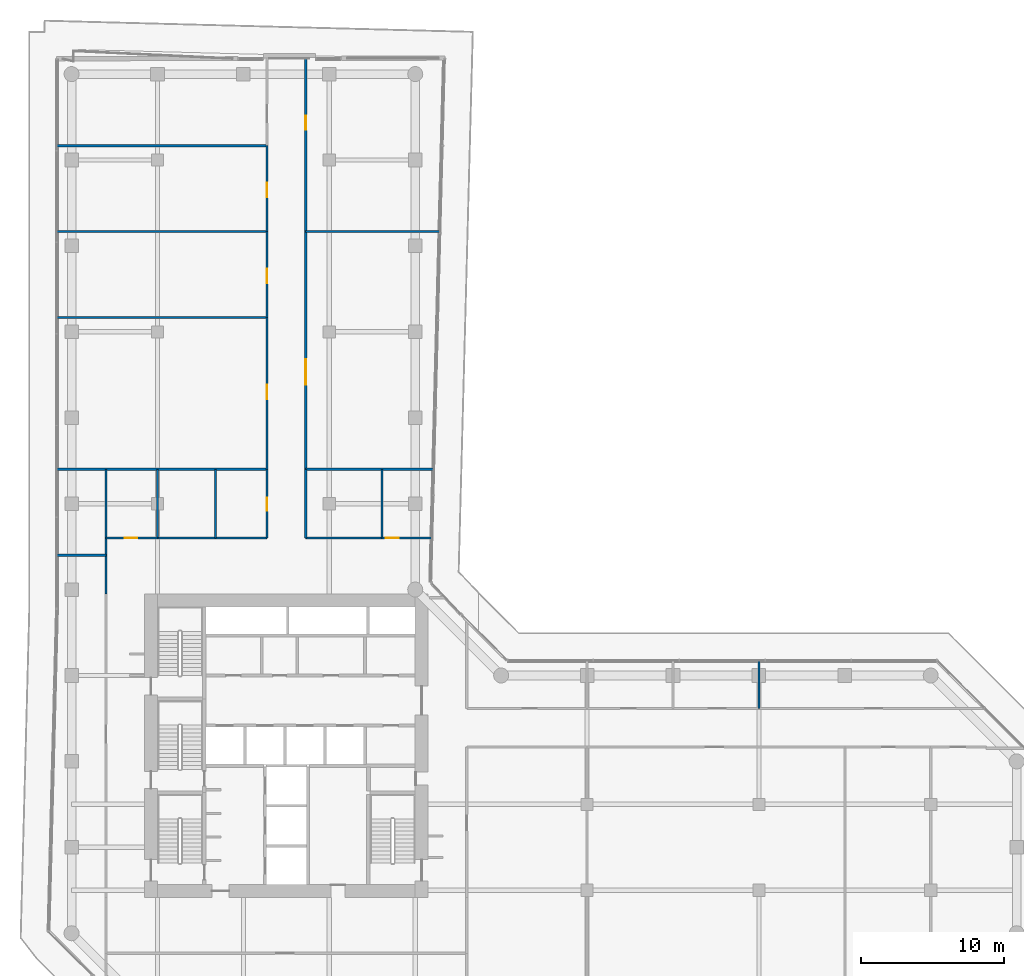
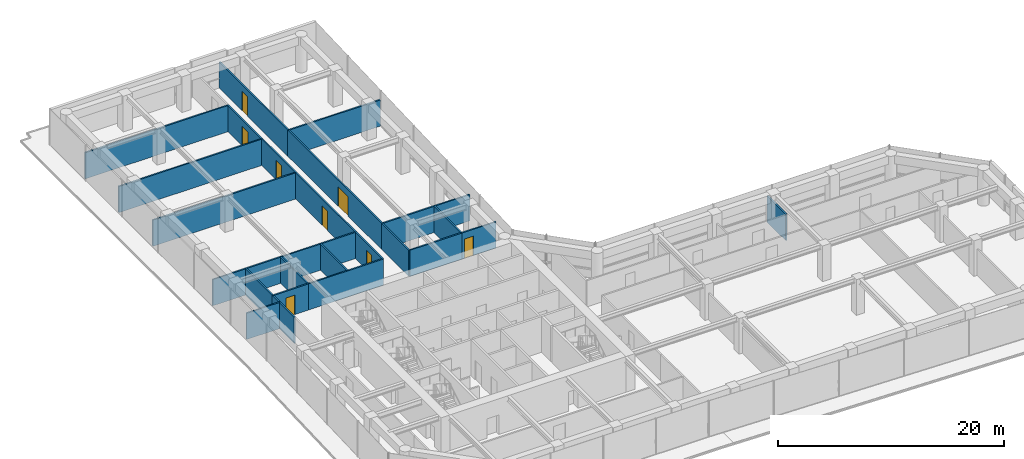
# One storey, part 25 of 28: 24 walls, 8 doors, 8 openings.
"""IFC4 building model written with IfcOpenShell, lengths in metres."""

from ifc_helpers import new_model, si_unit, direction, frame, frame_2d, origin, place, context, subcontext, project, spatial, rectangle, extrude, material, layer, layer_set, type_object, element, fill, save


model = new_model("IFC4")

# Units and contexts
model_context = context("Model", 3, precision=1e-05, world=origin(), true_north=direction((0.0, 1.0)))
body_context = subcontext(model_context, "Body", "Model", "MODEL_VIEW")
ifc_project = project(units=[si_unit("LENGTHUNIT", "METRE"), si_unit("AREAUNIT", "SQUARE_METRE"), si_unit("VOLUMEUNIT", "CUBIC_METRE"), si_unit("PLANEANGLEUNIT", "RADIAN"), si_unit("MASSUNIT", "GRAM", prefix="KILO")], contexts=[model_context])

# Site, building, storey
site_placement = place(None, origin())
site = spatial("IfcSite", under=ifc_project, at=site_placement, CompositionType="ELEMENT")
building_placement = place(site_placement, origin())
building = spatial("IfcBuilding", under=site, at=building_placement, Name="Welwitschia Terrace Campus", CompositionType="ELEMENT")
storey_placement = place(building_placement, frame((0.0, 0.0, 45.800048828125)))
storey = spatial("IfcBuildingStorey", under=building, at=storey_placement, Name="L10", CompositionType="ELEMENT", Elevation=45.800048828125)

# Walls
ifc_material_1 = material(Name="Gypsum board on steel studs", Category="steel")
ifc_layer = layer(ifc_material_1, 0.14990234375)
ifc_layer_set = layer_set([ifc_layer], Name="Gypsum board on steel studs")
wall_type = type_object("IfcWallType", Name="Corridor partition 150 EI 30", PredefinedType="PARTITIONING", material=ifc_layer_set)
wall_1_placement = place(storey_placement, frame((-1.010009765625, 28.39990234375, 0.0), z_axis=(0.0, 0.0, 1.0), x_axis=(1.0, 0.0, 0.0)))
element("IfcWall", 1, at=wall_1_placement, inside=storey, type_object=wall_type, Name="Partition", PredefinedType="PARTITIONING", context=body_context, shape_type="SweptSolid", body=[
    extrude(rectangle(XDim=3.409912109375, YDim=0.14990234375, at=frame_2d((1.705078125, 0.0))), origin(), (0.0, 0.0, 1.0), 2.829833984375),
])
for number, where, z_axis, x_axis, name in (
    (2, (-1.010009765625, 34.39990234375, 0.0), (0.0, 0.0, 1.0), (1.0, 0.0, 0.0), "Partition"),
    (3, (-1.010009765625, 45.0, 0.0), (0.0, 0.0, 1.0), (1.0, 0.0, 0.0), "Partition"),
    (4, (-1.010009765625, 51.0, 0.0), (0.0, 0.0, 1.0), (1.0, 0.0, 0.0), "Partition"),
    (5, (-1.010009765625, 57.0, 0.0), (0.0, 0.0, 1.0), (1.0, 0.0, 0.0), "Partition"),
):
    element("IfcWall", number, at=place(storey_placement, frame(where, z_axis=z_axis, x_axis=x_axis)), inside=storey, type_object=wall_type, Name=name, PredefinedType="PARTITIONING", context=body_context, shape_type="SweptSolid", body=[
        extrude(rectangle(XDim=14.659912109375, YDim=0.14990234375, at=frame_2d((7.330078125, 0.0))), origin(), (0.0, 0.0, 1.0), 2.829833984375),
    ])
wall_2_placement = place(storey_placement, frame((2.39990234375, 25.699951171875, 0.0), z_axis=(0.0, 0.0, 1.0), x_axis=(0.0, 1.0, 0.0)))
element("IfcWall", 6, at=wall_2_placement, inside=storey, type_object=wall_type, Name="Partition", PredefinedType="PARTITIONING", context=body_context, shape_type="SweptSolid", body=[
    extrude(rectangle(XDim=3.900146484375, YDim=0.14990234375, at=frame_2d((1.9501953125, 0.0))), origin(), (0.0, 0.0, 1.0), 2.829833984375),
])
wall_3_placement = place(storey_placement, frame((2.39990234375, 29.60009765625, 0.0), z_axis=(0.0, 0.0, 1.0), x_axis=(0.0, 1.0, 0.0)))
element("IfcWall", 7, at=wall_3_placement, inside=storey, type_object=wall_type, Name="Partition", PredefinedType="PARTITIONING", context=body_context, shape_type="SweptSolid", body=[
    extrude(rectangle(XDim=4.7998046875, YDim=0.14990234375, at=frame_2d((2.39990234375, 0.0))), origin(), (0.0, 0.0, 1.0), 2.829833984375),
])

# Wall, opening, door
wall_4_placement = place(storey_placement, frame((2.39990234375, 29.60009765625, 0.0), z_axis=(0.0, 0.0, 1.0), x_axis=(1.0, 0.0, 0.0)))
wall_4 = element("IfcWall", 8, at=wall_4_placement, inside=storey, type_object=wall_type, Name="Partition", PredefinedType="PARTITIONING", context=body_context, shape_type="SweptSolid", body=[
    extrude(rectangle(XDim=3.60009765625, YDim=0.14990234375, at=frame_2d((1.800048828125, 0.0))), origin(), (0.0, 0.0, 1.0), 2.829833984375),
])
opening_1_placement = place(wall_4_placement, frame((1.300048828125, 0.0, 0.0)))
opening_1 = element("IfcOpeningElement", 9, at=opening_1_placement, cuts=wall_4, Name="Opening DI09", PredefinedType="OPENING", context=body_context, shape_type="SweptSolid", body=[
    extrude(rectangle(XDim=0.89990234375, YDim=2.10009765625, at=frame_2d((0.449951171875, 1.050048828125))), frame((0.0, 0.0849609375, 0.0), z_axis=(0.0, -1.0, 0.0), x_axis=(1.0, 0.0, 0.0)), (0.0, 0.0, 1.0), 0.169921875),
])
ifc_material_2 = material(Name="Timber veneered door", Category="wood")
door_type_1 = type_object("IfcDoorType", Name="Interior door DI09", OperationType="NOTDEFINED", PredefinedType="DOOR", material=ifc_material_2)
door_1_placement = place(opening_1_placement, origin())
door_1 = element("IfcDoor", 10, at=door_1_placement, inside=storey, type_object=door_type_1, Name="Door L10 230", OperationType="SINGLE_SWING_LEFT", OverallHeight=2.10009765625, OverallWidth=0.89990234375, PredefinedType="DOOR", context=body_context, shape_type="SweptSolid", body=[
    extrude(rectangle(XDim=0.89990234375, YDim=2.10009765625, at=frame_2d((0.449951171875, 1.050048828125))), frame((0.0, 0.02490234375, 0.0), z_axis=(0.0, -1.0, 0.0), x_axis=(1.0, 0.0, 0.0)), (0.0, 0.0, 1.0), 0.050048828125),
])
fill(opening_1, door_1)

# Walls
wall_5_placement = place(storey_placement, frame((6.0, 29.60009765625, 0.0), z_axis=(0.0, 0.0, 1.0), x_axis=(0.0, 1.0, 0.0)))
element("IfcWall", 11, at=wall_5_placement, inside=storey, type_object=wall_type, Name="Partition", PredefinedType="PARTITIONING", context=body_context, shape_type="SweptSolid", body=[
    extrude(rectangle(XDim=4.7998046875, YDim=0.14990234375, at=frame_2d((2.39990234375, 0.0))), origin(), (0.0, 0.0, 1.0), 2.829833984375),
])
wall_6_placement = place(storey_placement, frame((6.0, 29.60009765625, 0.0), z_axis=(0.0, 0.0, 1.0), x_axis=(1.0, 0.0, 0.0)))
element("IfcWall", 12, at=wall_6_placement, inside=storey, type_object=wall_type, Name="Partition", PredefinedType="PARTITIONING", context=body_context, shape_type="SweptSolid", body=[
    extrude(rectangle(XDim=7.64990234375, YDim=0.14990234375, at=frame_2d((3.824951171875, 0.0))), origin(), (0.0, 0.0, 1.0), 2.829833984375),
])
wall_7_placement = place(storey_placement, frame((10.050048828125, 29.60009765625, 0.0), z_axis=(0.0, 0.0, 1.0), x_axis=(0.0, 1.0, 0.0)))
element("IfcWall", 13, at=wall_7_placement, inside=storey, type_object=wall_type, Name="Partition", PredefinedType="PARTITIONING", context=body_context, shape_type="SweptSolid", body=[
    extrude(rectangle(XDim=4.7998046875, YDim=0.14990234375, at=frame_2d((2.39990234375, 0.0))), origin(), (0.0, 0.0, 1.0), 2.829833984375),
])

# Wall, opening, door
wall_8_placement = place(storey_placement, frame((13.64990234375, 29.60009765625, 0.0), z_axis=(0.0, 0.0, 1.0), x_axis=(0.0, 1.0, 0.0)))
wall_8 = element("IfcWall", 14, at=wall_8_placement, inside=storey, type_object=wall_type, Name="Partition", PredefinedType="PARTITIONING", context=body_context, shape_type="SweptSolid", body=[
    extrude(rectangle(XDim=4.7998046875, YDim=0.14990234375, at=frame_2d((2.39990234375, 0.0))), origin(), (0.0, 0.0, 1.0), 2.829833984375),
])
opening_2_placement = place(wall_8_placement, frame((1.89990234375, 0.0, 0.0)))
opening_2 = element("IfcOpeningElement", 15, at=opening_2_placement, cuts=wall_8, Name="Opening DI09", PredefinedType="OPENING", context=body_context, shape_type="SweptSolid", body=[
    extrude(rectangle(XDim=0.89990234375, YDim=2.10009765625, at=frame_2d((0.449951171875, 1.050048828125))), frame((0.0, 0.0849609375, 0.0), z_axis=(0.0, -1.0, 0.0), x_axis=(1.0, 0.0, 0.0)), (0.0, 0.0, 1.0), 0.169921875),
])
door_2_placement = place(opening_2_placement, origin())
door_2 = element("IfcDoor", 16, at=door_2_placement, inside=storey, type_object=door_type_1, Name="Door L10 231", OperationType="SINGLE_SWING_RIGHT", OverallHeight=2.10009765625, OverallWidth=0.89990234375, PredefinedType="DOOR", context=body_context, shape_type="SweptSolid", body=[
    extrude(rectangle(XDim=0.89990234375, YDim=2.10009765625, at=frame_2d((0.449951171875, 1.050048828125))), frame((0.0, 0.02490234375, 0.0), z_axis=(0.0, -1.0, 0.0), x_axis=(1.0, 0.0, 0.0)), (0.0, 0.0, 1.0), 0.050048828125),
])
fill(opening_2, door_2)

wall_9_placement = place(storey_placement, frame((13.64990234375, 34.39990234375, 0.0), z_axis=(0.0, 0.0, 1.0), x_axis=(0.0, 1.0, 0.0)))
wall_9 = element("IfcWall", 17, at=wall_9_placement, inside=storey, type_object=wall_type, Name="Partition", PredefinedType="PARTITIONING", context=body_context, shape_type="SweptSolid", body=[
    extrude(rectangle(XDim=10.60009765625, YDim=0.14990234375, at=frame_2d((5.300048828125, 0.0))), origin(), (0.0, 0.0, 1.0), 2.829833984375),
])
opening_3_placement = place(wall_9_placement, frame((4.89990234375, 0.0, 0.0)))
opening_3 = element("IfcOpeningElement", 18, at=opening_3_placement, cuts=wall_9, Name="Opening DI10", PredefinedType="OPENING", context=body_context, shape_type="SweptSolid", body=[
    extrude(rectangle(XDim=1.0, YDim=2.10009765625, at=frame_2d((0.5, 1.050048828125))), frame((0.0, 0.0849609375, 0.0), z_axis=(0.0, -1.0, 0.0), x_axis=(1.0, 0.0, 0.0)), (0.0, 0.0, 1.0), 0.169921875),
])
ifc_material_3 = material(Name="Timber veneered door", Category="wood")
door_type_2 = type_object("IfcDoorType", Name="Interior door DI10", OperationType="NOTDEFINED", PredefinedType="DOOR", material=ifc_material_3)
door_3_placement = place(opening_3_placement, origin())
door_3 = element("IfcDoor", 19, at=door_3_placement, inside=storey, type_object=door_type_2, Name="Door L10 232", OperationType="SINGLE_SWING_LEFT", OverallHeight=2.10009765625, OverallWidth=1.0, PredefinedType="DOOR", context=body_context, shape_type="SweptSolid", body=[
    extrude(rectangle(XDim=1.0, YDim=2.10009765625, at=frame_2d((0.5, 1.050048828125))), frame((0.0, 0.02490234375, 0.0), z_axis=(0.0, -1.0, 0.0), x_axis=(1.0, 0.0, 0.0)), (0.0, 0.0, 1.0), 0.050048828125),
])
fill(opening_3, door_3)

wall_10_placement = place(storey_placement, frame((13.64990234375, 45.0, 0.0), z_axis=(0.0, 0.0, 1.0), x_axis=(0.0, 1.0, 0.0)))
wall_10 = element("IfcWall", 20, at=wall_10_placement, inside=storey, type_object=wall_type, Name="Partition", PredefinedType="PARTITIONING", context=body_context, shape_type="SweptSolid", body=[
    extrude(rectangle(XDim=6.0, YDim=0.14990234375, at=frame_2d((3.0, 0.0))), origin(), (0.0, 0.0, 1.0), 2.829833984375),
])
opening_4_placement = place(wall_10_placement, frame((2.39990234375, 0.0, 0.0)))
opening_4 = element("IfcOpeningElement", 21, at=opening_4_placement, cuts=wall_10, Name="Opening DI10", PredefinedType="OPENING", context=body_context, shape_type="SweptSolid", body=[
    extrude(rectangle(XDim=1.0, YDim=2.10009765625, at=frame_2d((0.5, 1.050048828125))), frame((0.0, 0.0849609375, 0.0), z_axis=(0.0, -1.0, 0.0), x_axis=(1.0, 0.0, 0.0)), (0.0, 0.0, 1.0), 0.169921875),
])
door_4_placement = place(opening_4_placement, origin())
door_4 = element("IfcDoor", 22, at=door_4_placement, inside=storey, type_object=door_type_2, Name="Door L10 233", OperationType="SINGLE_SWING_RIGHT", OverallHeight=2.10009765625, OverallWidth=1.0, PredefinedType="DOOR", context=body_context, shape_type="SweptSolid", body=[
    extrude(rectangle(XDim=1.0, YDim=2.10009765625, at=frame_2d((0.5, 1.050048828125))), frame((0.0, 0.02490234375, 0.0), z_axis=(0.0, -1.0, 0.0), x_axis=(1.0, 0.0, 0.0)), (0.0, 0.0, 1.0), 0.050048828125),
])
fill(opening_4, door_4)

wall_11_placement = place(storey_placement, frame((13.64990234375, 51.0, 0.0), z_axis=(0.0, 0.0, 1.0), x_axis=(0.0, 1.0, 0.0)))
wall_11 = element("IfcWall", 23, at=wall_11_placement, inside=storey, type_object=wall_type, Name="Partition", PredefinedType="PARTITIONING", context=body_context, shape_type="SweptSolid", body=[
    extrude(rectangle(XDim=6.0, YDim=0.14990234375, at=frame_2d((3.0, 0.0))), origin(), (0.0, 0.0, 1.0), 2.829833984375),
])
opening_5_placement = place(wall_11_placement, frame((2.39990234375, 0.0, 0.0)))
opening_5 = element("IfcOpeningElement", 24, at=opening_5_placement, cuts=wall_11, Name="Opening DI10", PredefinedType="OPENING", context=body_context, shape_type="SweptSolid", body=[
    extrude(rectangle(XDim=1.0, YDim=2.10009765625, at=frame_2d((0.5, 1.050048828125))), frame((0.0, 0.0849609375, 0.0), z_axis=(0.0, -1.0, 0.0), x_axis=(1.0, 0.0, 0.0)), (0.0, 0.0, 1.0), 0.169921875),
])
door_5_placement = place(opening_5_placement, origin())
door_5 = element("IfcDoor", 25, at=door_5_placement, inside=storey, type_object=door_type_2, Name="Door L10 234", OperationType="SINGLE_SWING_LEFT", OverallHeight=2.10009765625, OverallWidth=1.0, PredefinedType="DOOR", context=body_context, shape_type="SweptSolid", body=[
    extrude(rectangle(XDim=1.0, YDim=2.10009765625, at=frame_2d((0.5, 1.050048828125))), frame((0.0, 0.02490234375, 0.0), z_axis=(0.0, -1.0, 0.0), x_axis=(1.0, 0.0, 0.0)), (0.0, 0.0, 1.0), 0.050048828125),
])
fill(opening_5, door_5)

# Walls
wall_12_placement = place(storey_placement, frame((16.35009765625, 29.60009765625, 0.0), z_axis=(0.0, 0.0, 1.0), x_axis=(0.0, 1.0, 0.0)))
element("IfcWall", 26, at=wall_12_placement, inside=storey, type_object=wall_type, Name="Partition", PredefinedType="PARTITIONING", context=body_context, shape_type="SweptSolid", body=[
    extrude(rectangle(XDim=4.7998046875, YDim=0.14990234375, at=frame_2d((2.39990234375, 0.0))), origin(), (0.0, 0.0, 1.0), 2.829833984375),
])
wall_13_placement = place(storey_placement, frame((16.35009765625, 29.60009765625, 0.0), z_axis=(0.0, 0.0, 1.0), x_axis=(1.0, 0.0, 0.0)))
element("IfcWall", 27, at=wall_13_placement, inside=storey, type_object=wall_type, Name="Partition", PredefinedType="PARTITIONING", context=body_context, shape_type="SweptSolid", body=[
    extrude(rectangle(XDim=5.31982421875, YDim=0.14990234375, at=frame_2d((2.659912109375, 0.0))), origin(), (0.0, 0.0, 1.0), 2.829833984375),
])

# Wall, opening, door
wall_14_placement = place(storey_placement, frame((16.35009765625, 34.39990234375, 0.0), z_axis=(0.0, 0.0, 1.0), x_axis=(0.0, 1.0, 0.0)))
wall_14 = element("IfcWall", 28, at=wall_14_placement, inside=storey, type_object=wall_type, Name="Partition", PredefinedType="PARTITIONING", context=body_context, shape_type="SweptSolid", body=[
    extrude(rectangle(XDim=16.60009765625, YDim=0.14990234375, at=frame_2d((8.300048828125, 0.0))), origin(), (0.0, 0.0, 1.0), 2.829833984375),
])
opening_6_placement = place(wall_14_placement, frame((5.89990234375, 0.0, 0.0)))
opening_6 = element("IfcOpeningElement", 29, at=opening_6_placement, cuts=wall_14, Name="Opening DI18", PredefinedType="OPENING", context=body_context, shape_type="SweptSolid", body=[
    extrude(rectangle(XDim=1.800048828125, YDim=2.10009765625, at=frame_2d((0.89990234375, 1.050048828125))), frame((0.0, 0.0849609375, 0.0), z_axis=(0.0, -1.0, 0.0), x_axis=(1.0, 0.0, 0.0)), (0.0, 0.0, 1.0), 0.169921875),
])
ifc_material_4 = material(Name="Timber veneered door", Category="wood")
door_type_3 = type_object("IfcDoorType", Name="Interior door DI18", OperationType="DOUBLE_DOOR_SINGLE_SWING", PredefinedType="DOOR", material=ifc_material_4)
door_6_placement = place(opening_6_placement, origin())
door_6 = element("IfcDoor", 30, at=door_6_placement, inside=storey, type_object=door_type_3, Name="Door L10 236", OperationType="SINGLE_SWING_LEFT", OverallHeight=2.10009765625, OverallWidth=1.800048828125, PredefinedType="DOOR", context=body_context, shape_type="SweptSolid", body=[
    extrude(rectangle(XDim=1.800048828125, YDim=2.10009765625, at=frame_2d((0.89990234375, 1.050048828125))), frame((0.0, 0.02490234375, 0.0), z_axis=(0.0, -1.0, 0.0), x_axis=(1.0, 0.0, 0.0)), (0.0, 0.0, 1.0), 0.050048828125),
])
fill(opening_6, door_6)

# Walls
wall_15_placement = place(storey_placement, frame((16.35009765625, 34.39990234375, 0.0), z_axis=(0.0, 0.0, 1.0), x_axis=(1.0, 0.0, 0.0)))
element("IfcWall", 31, at=wall_15_placement, inside=storey, type_object=wall_type, Name="Partition", PredefinedType="PARTITIONING", context=body_context, shape_type="SweptSolid", body=[
    extrude(rectangle(XDim=8.919921875, YDim=0.14990234375, at=frame_2d((4.4599609375, 0.0))), origin(), (0.0, 0.0, 1.0), 2.829833984375),
])
wall_16_placement = place(storey_placement, frame((16.35009765625, 51.0, 0.0), z_axis=(0.0, 0.0, 1.0), x_axis=(1.0, 0.0, 0.0)))
element("IfcWall", 32, at=wall_16_placement, inside=storey, type_object=wall_type, Name="Partition", PredefinedType="PARTITIONING", context=body_context, shape_type="SweptSolid", body=[
    extrude(rectangle(XDim=9.339111328125, YDim=0.14990234375, at=frame_2d((4.66943359375, 0.0))), origin(), (0.0, 0.0, 1.0), 2.829833984375),
])

# Wall, opening, door
wall_17_placement = place(storey_placement, frame((16.35009765625, 63.14599609375, 0.0), z_axis=(0.0, 0.0, 1.0), x_axis=(0.0, -1.0, 0.0)))
wall_17 = element("IfcWall", 33, at=wall_17_placement, inside=storey, type_object=wall_type, Name="Partition", PredefinedType="PARTITIONING", context=body_context, shape_type="SweptSolid", body=[
    extrude(rectangle(XDim=12.14599609375, YDim=0.14990234375, at=frame_2d((6.072998046875, 0.0))), origin(), (0.0, 0.0, 1.0), 2.829833984375),
])
opening_7_placement = place(wall_17_placement, frame((4.0458984375, 0.0, 0.0)))
opening_7 = element("IfcOpeningElement", 34, at=opening_7_placement, cuts=wall_17, Name="Opening DI10", PredefinedType="OPENING", context=body_context, shape_type="SweptSolid", body=[
    extrude(rectangle(XDim=1.0, YDim=2.10009765625, at=frame_2d((0.5, 1.050048828125))), frame((0.0, 0.0849609375, 0.0), z_axis=(0.0, -1.0, 0.0), x_axis=(1.0, 0.0, 0.0)), (0.0, 0.0, 1.0), 0.169921875),
])
door_7_placement = place(opening_7_placement, origin())
door_7 = element("IfcDoor", 35, at=door_7_placement, inside=storey, type_object=door_type_2, Name="Door L10 237", OperationType="SINGLE_SWING_RIGHT", OverallHeight=2.10009765625, OverallWidth=1.0, PredefinedType="DOOR", context=body_context, shape_type="SweptSolid", body=[
    extrude(rectangle(XDim=1.0, YDim=2.10009765625, at=frame_2d((0.5, 1.050048828125))), frame((0.0, 0.02490234375, 0.0), z_axis=(0.0, -1.0, 0.0), x_axis=(1.0, 0.0, 0.0)), (0.0, 0.0, 1.0), 0.050048828125),
])
fill(opening_7, door_7)

# Wall
wall_18_placement = place(storey_placement, frame((21.669921875, 29.60009765625, 0.0), z_axis=(0.0, 0.0, 1.0), x_axis=(0.0, 1.0, 0.0)))
element("IfcWall", 36, at=wall_18_placement, inside=storey, type_object=wall_type, Name="Partition", PredefinedType="PARTITIONING", context=body_context, shape_type="SweptSolid", body=[
    extrude(rectangle(XDim=4.7998046875, YDim=0.14990234375, at=frame_2d((2.39990234375, 0.0))), origin(), (0.0, 0.0, 1.0), 2.829833984375),
])

# Wall, opening, door
wall_19_placement = place(storey_placement, frame((21.669921875, 29.60009765625, 0.0), z_axis=(0.0, 0.0, 1.0), x_axis=(1.0, 0.0, 0.0)))
wall_19 = element("IfcWall", 37, at=wall_19_placement, inside=storey, type_object=wall_type, Name="Partition", PredefinedType="PARTITIONING", context=body_context, shape_type="SweptSolid", body=[
    extrude(rectangle(XDim=3.47998046875, YDim=0.14990234375, at=frame_2d((1.739990234375, 0.0))), origin(), (0.0, 0.0, 1.0), 2.829833984375),
])
opening_8_placement = place(wall_19_placement, frame((0.280029296875, 0.0, 0.0)))
opening_8 = element("IfcOpeningElement", 38, at=opening_8_placement, cuts=wall_19, Name="Opening DI09", PredefinedType="OPENING", context=body_context, shape_type="SweptSolid", body=[
    extrude(rectangle(XDim=0.89990234375, YDim=2.10009765625, at=frame_2d((0.449951171875, 1.050048828125))), frame((0.0, 0.0849609375, 0.0), z_axis=(0.0, -1.0, 0.0), x_axis=(1.0, 0.0, 0.0)), (0.0, 0.0, 1.0), 0.169921875),
])
door_8_placement = place(opening_8_placement, origin())
door_8 = element("IfcDoor", 39, at=door_8_placement, inside=storey, type_object=door_type_1, Name="Door L10 238", OperationType="SINGLE_SWING_LEFT", OverallHeight=2.10009765625, OverallWidth=0.89990234375, PredefinedType="DOOR", context=body_context, shape_type="SweptSolid", body=[
    extrude(rectangle(XDim=0.89990234375, YDim=2.10009765625, at=frame_2d((0.449951171875, 1.050048828125))), frame((0.0, 0.02490234375, 0.0), z_axis=(0.0, -1.0, 0.0), x_axis=(1.0, 0.0, 0.0)), (0.0, 0.0, 1.0), 0.050048828125),
])
fill(opening_8, door_8)

# Wall
wall_20_placement = place(storey_placement, frame((48.0, 17.699951171875, 0.0), z_axis=(0.0, 0.0, 1.0), x_axis=(0.0, 1.0, 0.0)))
element("IfcWall", 40, at=wall_20_placement, inside=storey, type_object=wall_type, Name="Partition", PredefinedType="PARTITIONING", context=body_context, shape_type="SweptSolid", body=[
    extrude(rectangle(XDim=3.31005859375, YDim=0.14990234375, at=frame_2d((1.655029296875, 0.0))), origin(), (0.0, 0.0, 1.0), 2.829833984375),
])

save(model, "model.ifc")
